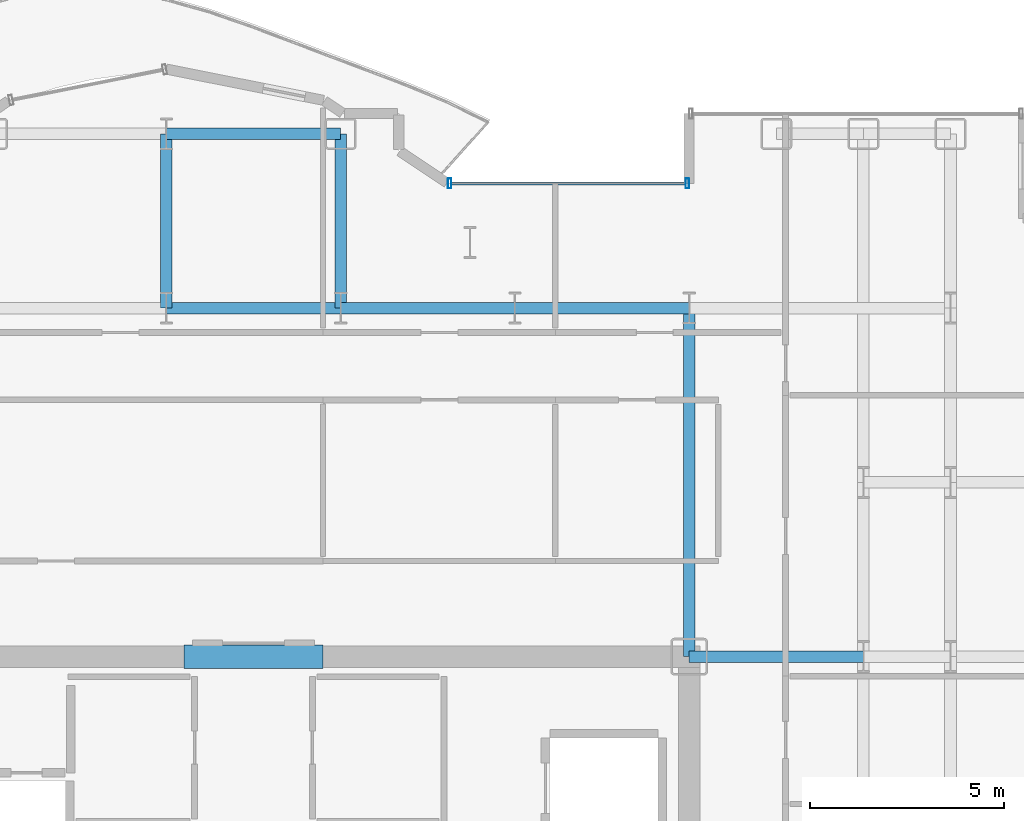
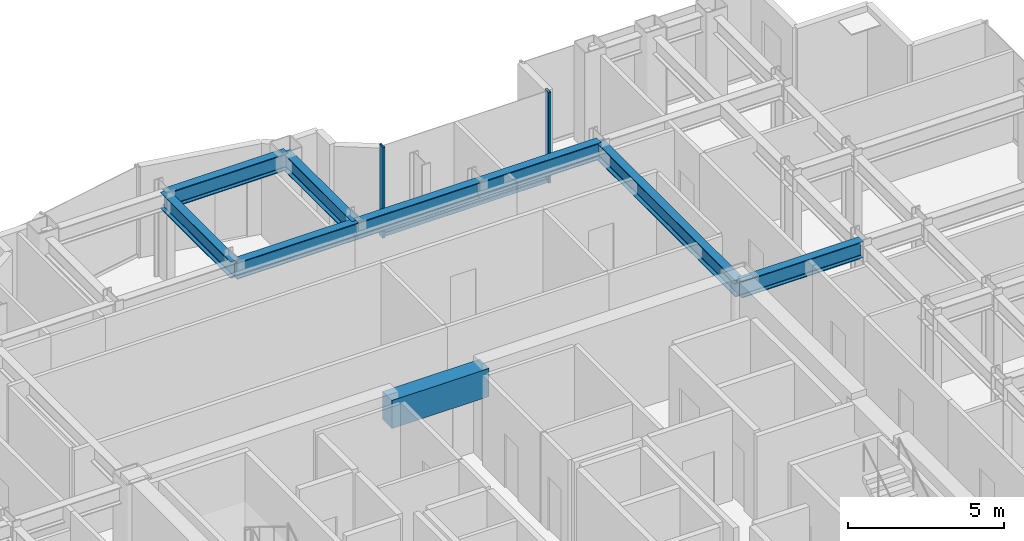
# One storey, part 15 of 26: 9 beams, 3 members, 1 element without a shape of its own.
"""IFC4 building model written with IfcOpenShell, lengths in metres."""

from ifc_helpers import new_model, si_unit, direction, frame, origin, origin_2d, place, context, subcontext, project, spatial, rectangle, hollow_rectangle, i_section, extrude, source, transform, mapped, material, layer, layer_set, material_profile, profile_set, type_object, element, aggregate, save


model = new_model("IFC4")

# Units and contexts
model_context = context("Model", 3, precision=1e-05, world=origin(), true_north=direction((0.0, 1.0)))
body_context = subcontext(model_context, "Body", "Model", "MODEL_VIEW")
ifc_project = project(units=[si_unit("LENGTHUNIT", "METRE"), si_unit("AREAUNIT", "SQUARE_METRE"), si_unit("VOLUMEUNIT", "CUBIC_METRE"), si_unit("PLANEANGLEUNIT", "RADIAN"), si_unit("MASSUNIT", "GRAM", prefix="KILO")], contexts=[model_context])

# Site, building, storey
site_placement = place(None, origin())
site = spatial("IfcSite", under=ifc_project, at=site_placement, CompositionType="ELEMENT")
building_placement = place(site_placement, origin())
building = spatial("IfcBuilding", under=site, at=building_placement, Name="Nefas-Gora Pilgrimage Tower", CompositionType="ELEMENT")
storey_placement = place(building_placement, frame((0.0, 0.0, 171.60009765625)))
storey = spatial("IfcBuildingStorey", under=building, at=storey_placement, Name="L42", CompositionType="ELEMENT", Elevation=171.60009765625)

# Beams
ifc_material_1 = material(Name="Concrete C60/75", Category="concrete")
ifc_material_profile_1 = material_profile(ifc_material_1, rectangle(XDim=0.60009765625, YDim=1.10009765625, at=origin_2d()), Name="RC 600x1100")
ifc_profile_set_1 = profile_set([ifc_material_profile_1], Name="Concrete C60/75")
beam_type_1 = type_object("IfcBeamType", Name="BM-LIN-RC1100", PredefinedType="LINTEL", material=ifc_profile_set_1)
shared_shape_1 = source(origin(), body_context, "Body", "SweptSolid", [
    extrude(rectangle(XDim=0.60009765625, YDim=1.10009765625, at=origin_2d()), origin(), (0.0, 0.0, 1.0), 3.60009765625),
])
beam_1_placement = place(storey_placement, frame((-1.800048828125, 9.0, 3.0), z_axis=(1.0, 0.0, 0.0), x_axis=(0.0, 1.0, 0.0)))
element("IfcBeam", 1, at=beam_1_placement, inside=storey, type_object=beam_type_1, Name="L42 Core Coupling Lintel Beam N", PredefinedType="LINTEL", context=body_context, shape_type="MappedRepresentation", body=[
    mapped(shared_shape_1, transform((0.0, 0.0, 0.0), x_axis=(1.0, 0.0, 0.0), y_axis=(0.0, 1.0, 0.0), z_axis=(0.0, 0.0, 1.0), scale=1.0)),
])
ifc_material_2 = material(Name="Steel S355", Category="steel")
ifc_material_profile_2 = material_profile(ifc_material_2, i_section(OverallWidth=0.300048828125, OverallDepth=0.64990234375, WebThickness=0.01611328125, FlangeThickness=0.031005859375, FilletRadius=0.027099609375, at=origin_2d()), Name="HEB 650")
ifc_profile_set_2 = profile_set([ifc_material_profile_2], Name="Steel S355")
beam_type_2 = type_object("IfcBeamType", Name="BM-GIR-HEB650", PredefinedType="BEAM", material=ifc_profile_set_2)
shared_shape_2 = source(origin(), body_context, "Body", "SweptSolid", [
    extrude(i_section(OverallWidth=0.300048828125, OverallDepth=0.64990234375, WebThickness=0.01611328125, FlangeThickness=0.031005859375, FilletRadius=0.027099609375, at=origin_2d()), origin(), (0.0, 0.0, 1.0), 9.0),
])
beam_2_placement = place(storey_placement, frame((11.25, 9.0, 3.224853515625), z_axis=(0.0, 1.0, 0.0), x_axis=(-1.0, 0.0, 0.0)))
element("IfcBeam", 2, at=beam_2_placement, inside=storey, type_object=beam_type_2, Name="L42 G-03 beam", PredefinedType="BEAM", context=body_context, shape_type="MappedRepresentation", body=[
    mapped(shared_shape_2, transform((0.0, 0.0, 0.0), x_axis=(1.0, 0.0, 0.0), y_axis=(0.0, 1.0, 0.0), z_axis=(0.0, 0.0, 1.0), scale=1.0)),
])
shared_shape_3 = source(origin(), body_context, "Body", "SweptSolid", [
    extrude(i_section(OverallWidth=0.300048828125, OverallDepth=0.64990234375, WebThickness=0.01611328125, FlangeThickness=0.031005859375, FilletRadius=0.027099609375, at=origin_2d()), origin(), (0.0, 0.0, 1.0), 4.5),
])
for number, where, z_axis, x_axis, name in (
    (3, (-2.25, 18.0, 3.224853515625), (0.0, 1.0, 0.0), (-1.0, 0.0, 0.0), "L42 G-03 beam"),
    (4, (-2.25, 18.0, 3.224853515625), (1.0, 0.0, 0.0), (0.0, 1.0, 0.0), "L42 G-03 beam"),
    (5, (-2.25, 22.5, 3.224853515625), (1.0, 0.0, 0.0), (0.0, 1.0, 0.0), "L42 G-03 beam"),
    (6, (2.25, 18.0, 3.224853515625), (0.0, 1.0, 0.0), (-1.0, 0.0, 0.0), "L42 G-03 beam"),
    (7, (2.25, 18.0, 3.224853515625), (1.0, 0.0, 0.0), (0.0, 1.0, 0.0), "L42 G-03 beam"),
    (8, (6.75, 18.0, 3.224853515625), (1.0, 0.0, 0.0), (0.0, 1.0, 0.0), "L42 G-03 beam"),
    (9, (11.25, 9.0, 3.224853515625), (1.0, 0.0, 0.0), (0.0, 1.0, 0.0), "L42 G-03 beam"),
):
    element("IfcBeam", number, at=place(storey_placement, frame(where, z_axis=z_axis, x_axis=x_axis)), inside=storey, type_object=beam_type_2, Name=name, PredefinedType="BEAM", context=body_context, shape_type="MappedRepresentation", body=[
        mapped(shared_shape_3, transform((0.0, 0.0, 0.0), x_axis=(1.0, 0.0, 0.0), y_axis=(0.0, 1.0, 0.0), z_axis=(0.0, 0.0, 1.0), scale=1.0)),
    ])

# Curtain wall, members
ifc_material_3 = material(Name="Dark ceramic-fritted solar-control aluminium-glass curtain wall", Category="aluminium")
ifc_layer = layer(ifc_material_3, 0.219970703125)
ifc_layer_set = layer_set([ifc_layer], Name="Dark ceramic-fritted solar-control aluminium-glass curtain wall")
curtain_wall_type = type_object("IfcCurtainWallType", Name="CW-SYS-5", PredefinedType="NOTDEFINED", material=ifc_layer_set)
curtain_wall_placement = place(storey_placement, origin())
curtain_wall = element("IfcCurtainWall", 10, at=curtain_wall_placement, inside=storey, type_object=curtain_wall_type, Name="L42 Unitised Curtain Wall CW5", PredefinedType="NOTDEFINED")
ifc_material_4 = material(Name="Anodised architectural aluminium", Category="aluminium")
ifc_material_profile_3 = material_profile(ifc_material_4, hollow_rectangle(XDim=0.080078125, YDim=0.159912109375, WallThickness=0.00439453125, InnerFilletRadius=0.00439453125, OuterFilletRadius=0.009033203125, at=origin_2d()), Name="ALU TRANSOM 80x160")
ifc_profile_set_3 = profile_set([ifc_material_profile_3], Name="Anodised architectural aluminium")
member_type_1 = type_object("IfcMemberType", Name="CWM-TRN-5", PredefinedType="USERDEFINED", material=ifc_profile_set_3)
shared_shape_4 = source(origin(), body_context, "Body", "SweptSolid", [
    extrude(hollow_rectangle(XDim=0.080078125, YDim=0.159912109375, WallThickness=0.00439453125, InnerFilletRadius=0.00439453125, OuterFilletRadius=0.009033203125, at=origin_2d()), origin(), (0.0, 0.0, 1.0), 6.052001953125),
])
member_1_placement = place(storey_placement, frame((11.159912109375, 21.219970703125, 0.0498046875), z_axis=(-1.0, 0.0, 0.0), x_axis=(0.0, -1.0, 0.0)))
member_1 = element("IfcMember", 11, at=member_1_placement, type_object=member_type_1, Name="CW5 Spandrel Transom", ObjectType="TRANSOM", PredefinedType="USERDEFINED", context=body_context, shape_type="MappedRepresentation", body=[
    mapped(shared_shape_4, transform((0.0, 0.0, 0.0), x_axis=(1.0, 0.0, 0.0), y_axis=(0.0, 1.0, 0.0), z_axis=(0.0, 0.0, 1.0), scale=1.0)),
])
ifc_material_profile_4 = material_profile(ifc_material_4, hollow_rectangle(XDim=0.090087890625, YDim=0.260009765625, WallThickness=0.006103515625, InnerFilletRadius=0.006103515625, OuterFilletRadius=0.011962890625, at=origin_2d()), Name="ALU MULLION 90x260")
ifc_profile_set_4 = profile_set([ifc_material_profile_4], Name="Anodised architectural aluminium")
member_type_2 = type_object("IfcMemberType", Name="CWM-MUL-5", PredefinedType="MULLION", material=ifc_profile_set_4)
shared_shape_5 = source(origin(), body_context, "Body", "SweptSolid", [
    extrude(hollow_rectangle(XDim=0.090087890625, YDim=0.260009765625, WallThickness=0.006103515625, InnerFilletRadius=0.006103515625, OuterFilletRadius=0.011962890625, at=origin_2d()), origin(), (0.0, 0.0, 1.0), 3.5498046875),
])
member_2_placement = place(storey_placement, frame((11.205078125, 21.219970703125, 0.0), z_axis=(0.0, 0.0, 1.0), x_axis=(-1.0, 0.0, 0.0)))
member_2 = element("IfcMember", 12, at=member_2_placement, type_object=member_type_2, Name="CW5 Mullion 1", PredefinedType="MULLION", context=body_context, shape_type="MappedRepresentation", body=[
    mapped(shared_shape_5, transform((0.0, 0.0, 0.0), x_axis=(1.0, 0.0, 0.0), y_axis=(0.0, 1.0, 0.0), z_axis=(0.0, 0.0, 1.0), scale=1.0)),
])
member_3_placement = place(storey_placement, frame((5.06298828125, 21.219970703125, 0.0), z_axis=(0.0, 0.0, 1.0), x_axis=(-1.0, 0.0, 0.0)))
member_3 = element("IfcMember", 13, at=member_3_placement, type_object=member_type_2, Name="CW5 Mullion 2", PredefinedType="MULLION", context=body_context, shape_type="MappedRepresentation", body=[
    mapped(shared_shape_5, transform((0.0, 0.0, 0.0), x_axis=(1.0, 0.0, 0.0), y_axis=(0.0, 1.0, 0.0), z_axis=(0.0, 0.0, 1.0), scale=1.0)),
])
aggregate(curtain_wall, [member_2, member_3, member_1])

save(model, "model.ifc")
